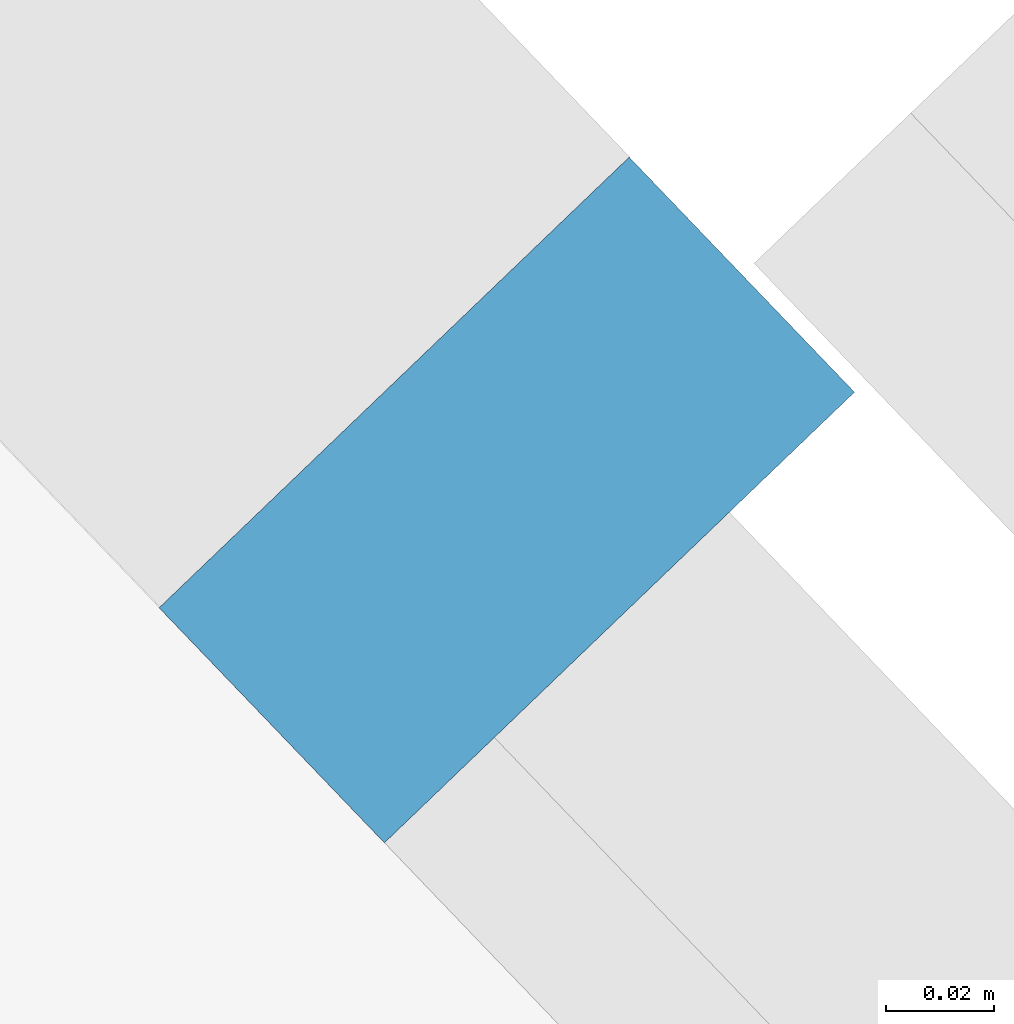
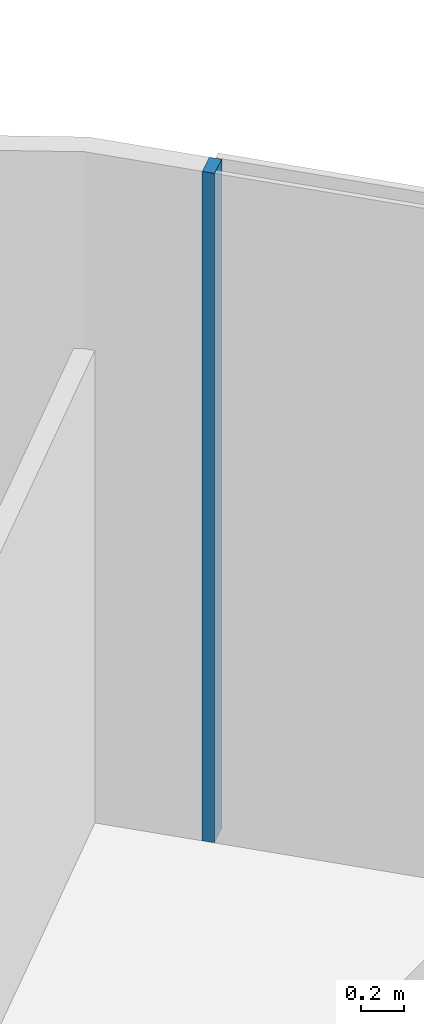
# One storey, part 8 of 34: 1 member, 1 element without a shape of its own.
"""IFC4 building model written with IfcOpenShell, lengths in metres."""

from ifc_helpers import new_model, si_unit, direction, frame, origin, origin_2d, place, context, subcontext, project, spatial, rectangle, extrude, material, material_profile, profile_set, type_object, element, aggregate, save


model = new_model("IFC4")

# Units and contexts
model_context = context("Model", 3, precision=1e-05, world=origin(), true_north=direction((0.0, 1.0)))
body_context = subcontext(model_context, "Body", "Model", "MODEL_VIEW")
ifc_project = project(units=[si_unit("LENGTHUNIT", "METRE"), si_unit("AREAUNIT", "SQUARE_METRE"), si_unit("VOLUMEUNIT", "CUBIC_METRE"), si_unit("PLANEANGLEUNIT", "RADIAN"), si_unit("MASSUNIT", "GRAM", prefix="KILO")], contexts=[model_context])

# Site, building, storey
site_placement = place(None, origin())
site = spatial("IfcSite", under=ifc_project, at=site_placement, CompositionType="ELEMENT")
building_placement = place(site_placement, origin())
building = spatial("IfcBuilding", under=site, at=building_placement, Name="Rimbun Link Towers", CompositionType="ELEMENT")
storey_placement = place(building_placement, frame((0.0, 0.0, 252.300048828125)))
storey = spatial("IfcBuildingStorey", under=building, at=storey_placement, Name="L62", CompositionType="ELEMENT", Elevation=252.300048828125)

# Curtain wall, member
ifc_material_1 = material(Name="Aluminium 6063-T6 and low-iron glass", Category="aluminium")
curtain_wall_type = type_object("IfcCurtainWallType", Name="CW1-Z4 unitised vision wall (zone 4)", PredefinedType="NOTDEFINED", material=ifc_material_1)
curtain_wall_placement = place(storey_placement, origin())
curtain_wall = element("IfcCurtainWall", 1, at=curtain_wall_placement, inside=storey, type_object=curtain_wall_type, Name="CW1 L62 T1", PredefinedType="NOTDEFINED")
ifc_material_2 = material(Name="Aluminium 6063-T6", Category="aluminium")
ifc_material_profile = material_profile(ifc_material_2, rectangle(XDim=0.1201171875, YDim=0.06005859375, at=origin_2d()), Name="MULLION 60X120")
ifc_profile_set = profile_set([ifc_material_profile], Name="Aluminium 6063-T6")
member_type = type_object("IfcMemberType", Name="CW1 mullion 60X120", PredefinedType="MULLION", material=ifc_profile_set)
member_placement = place(storey_placement, frame((-17.8994140625, 13.00048828125, 0.0), z_axis=(0.0, 0.0, 1.0), x_axis=(0.721858292347, 0.692040898915, 0.0)))
member = element("IfcMember", 2, at=member_placement, type_object=member_type, Name="CW1 mullion", PredefinedType="MULLION", context=body_context, shape_type="SweptSolid", body=[
    extrude(rectangle(XDim=0.1201171875, YDim=0.06005859375, at=origin_2d()), origin(), (0.0, 0.0, 1.0), 3.800048828125),
])
aggregate(curtain_wall, [member])

save(model, "model.ifc")
